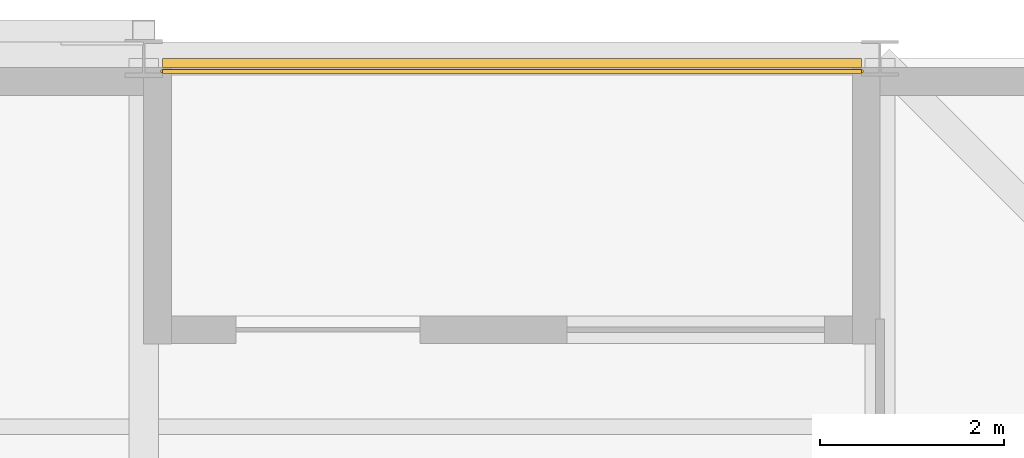
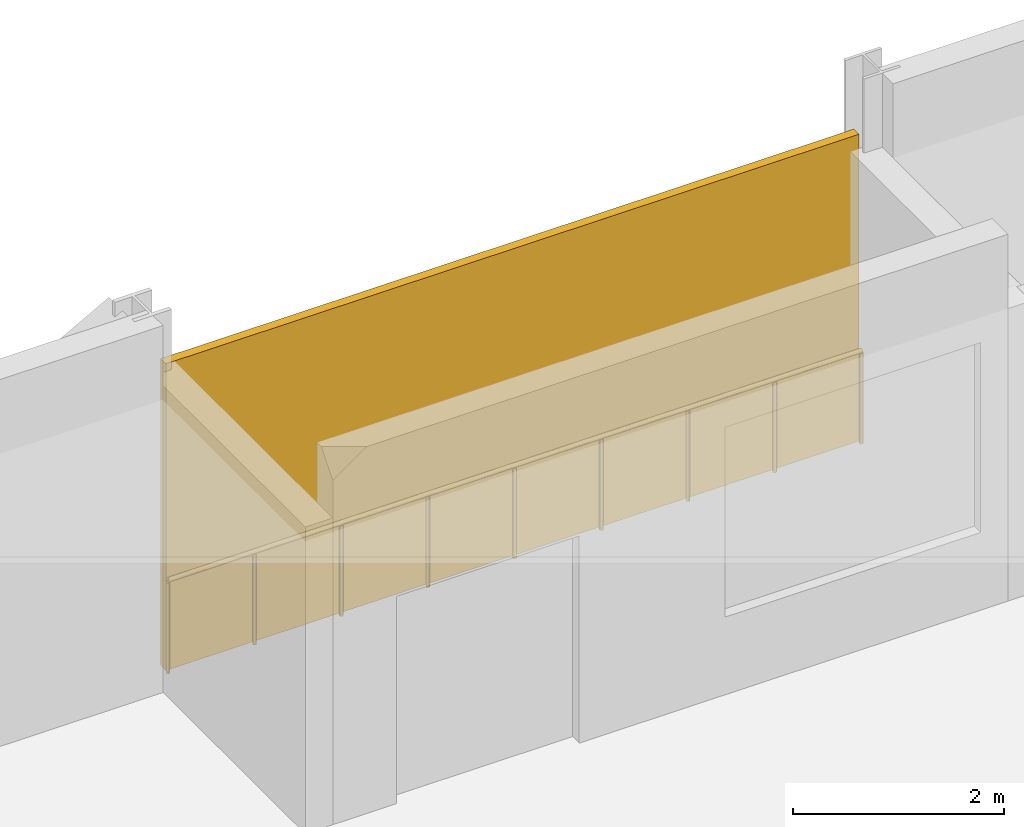
# One storey, part 13 of 14: 1 railing, 1 shading device.
"""IFC4 building model written with IfcOpenShell, lengths in metres."""

from ifc_helpers import new_model, si_unit, direction, frame, origin, origin_2d, place, context, subcontext, project, spatial, rectangle, circle, extrude, material, layer, layer_set, type_object, element, save


model = new_model("IFC4")

# Units and contexts
model_context = context("Model", 3, precision=1e-05, world=origin(), true_north=direction((0.0, 1.0)))
body_context = subcontext(model_context, "Body", "Model", "MODEL_VIEW")
ifc_project = project(units=[si_unit("LENGTHUNIT", "METRE"), si_unit("AREAUNIT", "SQUARE_METRE"), si_unit("VOLUMEUNIT", "CUBIC_METRE"), si_unit("PLANEANGLEUNIT", "RADIAN"), si_unit("MASSUNIT", "GRAM", prefix="KILO")], contexts=[model_context])

# Site, building, storey
site_placement = place(None, origin())
site = spatial("IfcSite", under=ifc_project, at=site_placement, CompositionType="ELEMENT")
building_placement = place(site_placement, origin())
building = spatial("IfcBuilding", under=site, at=building_placement, Name="Immortelle Media Tower", CompositionType="ELEMENT")
storey_placement = place(building_placement, frame((0.0, 0.0, 48.0)))
storey = spatial("IfcBuildingStorey", under=building, at=storey_placement, Name="L07", CompositionType="ELEMENT", Elevation=48.0)

# Railing
ifc_material_1 = material(Name="Powder-coated aluminium fretwork panel, laminated glass backing", Category="aluminium")
railing_type = type_object("IfcRailingType", Name="Fretwork balustrade 1100", PredefinedType="BALUSTRADE", material=ifc_material_1)
railing_placement = place(storey_placement, frame((39.800537109375, 47.860107421875, 0.0)))
element("IfcRailing", 1, at=railing_placement, inside=storey, type_object=railing_type, Name="Fretwork balustrade L07 N0", PredefinedType="BALUSTRADE", context=body_context, shape_type="SweptSolid", body=[
    extrude(circle(Radius=0.02490234375, at=origin_2d()), frame((0.0, 0.0, 1.0751953125), z_axis=(-1.0, 0.0, 0.0), x_axis=(0.0, -1.0, 0.0)), (0.0, 0.0, 1.0), 7.59765625),
    extrude(circle(Radius=0.02001953125, at=origin_2d()), origin(), (0.0, 0.0, 1.0), 1.050048828125),
    extrude(circle(Radius=0.02001953125, at=origin_2d()), frame((-0.94970703125, 0.0, 0.0)), (0.0, 0.0, 1.0), 1.050048828125),
    extrude(circle(Radius=0.02001953125, at=origin_2d()), frame((-1.8994140625, 0.0, 0.0)), (0.0, 0.0, 1.0), 1.050048828125),
    extrude(circle(Radius=0.02001953125, at=origin_2d()), frame((-2.84912109375, 0.0, 0.0)), (0.0, 0.0, 1.0), 1.050048828125),
    extrude(circle(Radius=0.02001953125, at=origin_2d()), frame((-3.798828125, 0.0, 0.0)), (0.0, 0.0, 1.0), 1.050048828125),
    extrude(circle(Radius=0.02001953125, at=origin_2d()), frame((-4.74853515625, 0.0, 0.0)), (0.0, 0.0, 1.0), 1.050048828125),
    extrude(circle(Radius=0.02001953125, at=origin_2d()), frame((-5.6982421875, 0.0, 0.0)), (0.0, 0.0, 1.0), 1.050048828125),
    extrude(circle(Radius=0.02001953125, at=origin_2d()), frame((-6.64794921875, 0.0, 0.0)), (0.0, 0.0, 1.0), 1.050048828125),
    extrude(circle(Radius=0.02001953125, at=origin_2d()), frame((-7.59765625, 0.0, 0.0)), (0.0, 0.0, 1.0), 1.050048828125),
])

# Shading device
ifc_material_2 = material(Name="Pale aluminium louvre blades", Category="aluminium")
ifc_layer = layer(ifc_material_2, 0.10009765625)
ifc_layer_set = layer_set([ifc_layer], Name="Pale aluminium louvre blades")
shading_device_type = type_object("IfcShadingDeviceType", Name="Jalousie screen 100", PredefinedType="JALOUSIE", material=ifc_layer_set)
shading_device_placement = place(storey_placement, frame((36.001708984375, 47.949951171875, 0.0), z_axis=(0.0, 0.0, 1.0), x_axis=(-1.0, 0.0, 0.0)))
element("IfcShadingDevice", 2, at=shading_device_placement, inside=storey, type_object=shading_device_type, Name="Jalousie screen L07 N0", PredefinedType="JALOUSIE", context=body_context, shape_type="SweptSolid", body=[
    extrude(rectangle(XDim=7.597412109375, YDim=0.10009765625, at=origin_2d()), origin(), (0.0, 0.0, 1.0), 3.553955078125),
])

save(model, "model.ifc")
